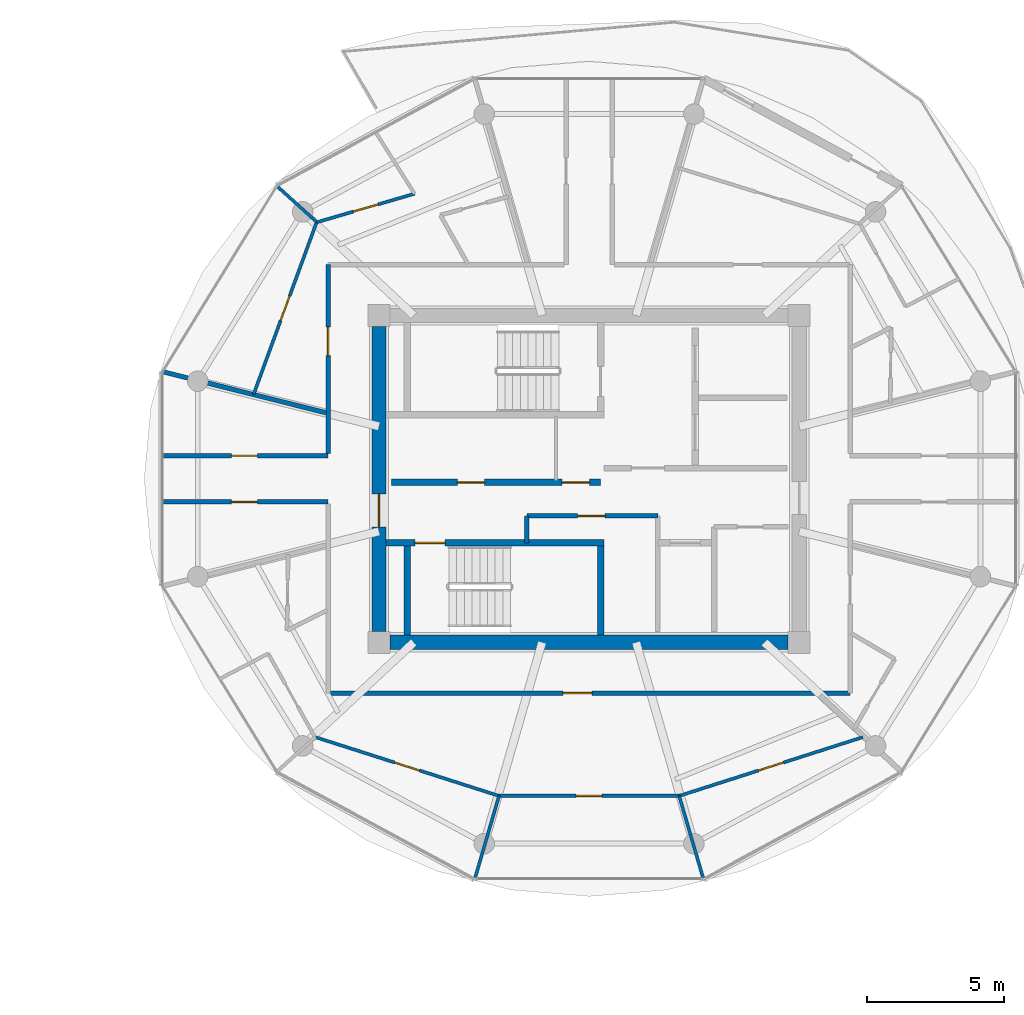
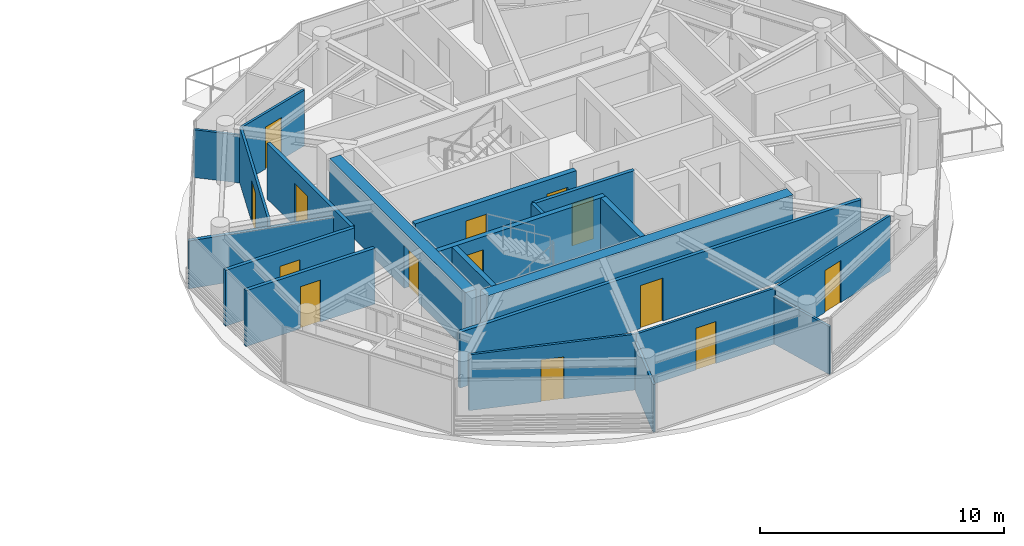
# One storey, part 12 of 19: 21 walls, 14 doors, 14 openings.
"""IFC4 building model written with IfcOpenShell, lengths in metres."""

from ifc_helpers import new_model, si_unit, direction, frame, frame_2d, origin, place, context, subcontext, project, spatial, rectangle, extrude, source, transform, mapped, material, layer, layer_set, type_object, type_shapes, element, fill, save


model = new_model("IFC4")

# Units and contexts
model_context = context("Model", 3, precision=1e-05, world=origin(), true_north=direction((0.0, 1.0)))
body_context = subcontext(model_context, "Body", "Model", "MODEL_VIEW")
ifc_project = project(units=[si_unit("LENGTHUNIT", "METRE"), si_unit("AREAUNIT", "SQUARE_METRE"), si_unit("VOLUMEUNIT", "CUBIC_METRE"), si_unit("PLANEANGLEUNIT", "RADIAN"), si_unit("MASSUNIT", "GRAM", prefix="KILO")], contexts=[model_context])

# Site, building, storey
site_placement = place(None, origin())
site = spatial("IfcSite", under=ifc_project, at=site_placement, CompositionType="ELEMENT")
building_placement = place(site_placement, origin())
building = spatial("IfcBuilding", under=site, at=building_placement, Name="Norrkilde Senior Care Towers", CompositionType="ELEMENT")
storey_placement = place(building_placement, frame((0.0, 0.0, 235.25)))
storey = spatial("IfcBuildingStorey", under=building, at=storey_placement, Name="L73", CompositionType="ELEMENT", Elevation=235.25)

# Wall
ifc_material_1 = material(Name="Concrete C50/60", Category="concrete")
ifc_layer_1 = layer(ifc_material_1, 0.52001953125)
ifc_layer_set_1 = layer_set([ifc_layer_1], Name="Concrete C50/60")
wall_type_1 = type_object("IfcWallType", Name="Core Shear Wall Z4 520", PredefinedType="SHEAR", material=ifc_layer_set_1)
shared_shape_1 = source(origin(), body_context, "Body", "SweptSolid", [
    extrude(rectangle(XDim=14.5, YDim=0.52001953125, at=frame_2d((7.25, 0.0))), origin(), (0.0, 0.0, 1.0), 2.81005859375),
])
wall_1_placement = place(storey_placement, frame((35.25, -5.949951171875, 0.0), z_axis=(0.0, 0.0, 1.0), x_axis=(-1.0, 0.0, 0.0)))
element("IfcWall", 1, at=wall_1_placement, inside=storey, type_object=wall_type_1, Name="L73 Core E South Shear Wall", PredefinedType="SHEAR", context=body_context, shape_type="MappedRepresentation", body=[
    mapped(shared_shape_1, transform((0.0, 0.0, 0.0), x_axis=(1.0, 0.0, 0.0), y_axis=(0.0, 1.0, 0.0), z_axis=(0.0, 0.0, 1.0), scale=1.0)),
])

# Wall, opening, door
shared_shape_2 = source(origin(), body_context, "Body", "SweptSolid", [
    extrude(rectangle(XDim=11.10009765625, YDim=0.52001953125, at=frame_2d((5.550048828125, 0.0))), origin(), (0.0, 0.0, 1.0), 2.81005859375),
])
type_shapes(wall_type_1, [shared_shape_1, shared_shape_2])
wall_2_placement = place(storey_placement, frame((20.35009765625, -5.550048828125, 0.0), z_axis=(0.0, 0.0, 1.0), x_axis=(0.0, 1.0, 0.0)))
wall_2 = element("IfcWall", 2, at=wall_2_placement, inside=storey, type_object=wall_type_1, Name="L73 Core E West Shear Wall", PredefinedType="SHEAR", context=body_context, shape_type="MappedRepresentation", body=[
    mapped(shared_shape_2, transform((0.0, 0.0, 0.0), x_axis=(1.0, 0.0, 0.0), y_axis=(0.0, 1.0, 0.0), z_axis=(0.0, 0.0, 1.0), scale=1.0)),
])
opening_1_placement = place(wall_2_placement, frame((3.800048828125, 0.0, 0.0)))
opening_1 = element("IfcOpeningElement", 3, at=opening_1_placement, cuts=wall_2, Name="Opening D-04", PredefinedType="OPENING", context=body_context, shape_type="SweptSolid", body=[
    extrude(rectangle(XDim=1.199951171875, YDim=2.14990234375, at=frame_2d((0.60009765625, 1.074951171875))), frame((0.0, 0.27001953125, 0.0), z_axis=(0.0, -1.0, 0.0), x_axis=(1.0, 0.0, 0.0)), (0.0, 0.0, 1.0), 0.5400390625),
])
ifc_material_2 = material(Name="Galvanised Painted Steel", Category="steel")
door_type_1 = type_object("IfcDoorType", Name="Firefighting Lobby Fire Door 1200x2150", OperationType="NOTDEFINED", PredefinedType="DOOR", material=ifc_material_2)
shared_shape_3 = source(origin(), body_context, "Body", "SweptSolid", [
    extrude(rectangle(XDim=1.199951171875, YDim=2.14990234375, at=frame_2d((0.60009765625, 1.074951171875))), frame((0.0, 0.02490234375, 0.0), z_axis=(0.0, -1.0, 0.0), x_axis=(1.0, 0.0, 0.0)), (0.0, 0.0, 1.0), 0.050048828125),
])
type_shapes(door_type_1, [shared_shape_3])
door_1_placement = place(opening_1_placement, frame((1.199951171875, 0.0, 0.0), z_axis=(0.0, 0.0, 1.0), x_axis=(-1.0, 0.0, 0.0)))
door_1 = element("IfcDoor", 4, at=door_1_placement, inside=storey, type_object=door_type_1, Name="L73 Core E West Portal Door", OperationType="SINGLE_SWING_LEFT", OverallHeight=2.14990234375, OverallWidth=1.199951171875, PredefinedType="DOOR", context=body_context, shape_type="MappedRepresentation", body=[
    mapped(shared_shape_3, transform((0.0, 0.0, 0.0), x_axis=(1.0, 0.0, 0.0), y_axis=(0.0, 1.0, 0.0), z_axis=(0.0, 0.0, 1.0), scale=1.0)),
])
fill(opening_1, door_1)

# Wall, openings, doors
ifc_material_3 = material(Name="Concrete C45/55", Category="concrete")
ifc_layer_2 = layer(ifc_material_3, 0.239990234375)
ifc_layer_set_2 = layer_set([ifc_layer_2], Name="Concrete C45/55")
wall_type_2 = type_object("IfcWallType", Name="Lift and Plant Rated Enclosure Partition 240", PredefinedType="PARTITIONING", material=ifc_layer_set_2)
shared_shape_4 = source(origin(), body_context, "Body", "SweptSolid", [
    extrude(rectangle(XDim=7.619873046875, YDim=0.239990234375, at=frame_2d((3.81005859375, 0.0))), origin(), (0.0, 0.0, 1.0), 2.794921875),
])
type_shapes(wall_type_2, [shared_shape_4])
wall_3_placement = place(storey_placement, frame((20.800048828125, -0.1298828125, 0.0), z_axis=(0.0, 0.0, 1.0), x_axis=(1.0, 0.0, 0.0)))
wall_3 = element("IfcWall", 5, at=wall_3_placement, inside=storey, type_object=wall_type_2, Name="WL-INT-L73-E-PKAS", PredefinedType="PARTITIONING", context=body_context, shape_type="MappedRepresentation", body=[
    mapped(shared_shape_4, transform((0.0, 0.0, 0.0), x_axis=(1.0, 0.0, 0.0), y_axis=(0.0, 1.0, 0.0), z_axis=(0.0, 0.0, 1.0), scale=1.0)),
])
opening_2_placement = place(wall_3_placement, frame((6.219970703125, 0.0, 0.0)))
opening_2 = element("IfcOpeningElement", 6, at=opening_2_placement, cuts=wall_3, Name="Opening D-10", PredefinedType="OPENING", context=body_context, shape_type="SweptSolid", body=[
    extrude(rectangle(XDim=1.0, YDim=2.10009765625, at=frame_2d((0.5, 1.050048828125))), frame((0.0, 0.1298828125, 0.0), z_axis=(0.0, -1.0, 0.0), x_axis=(1.0, 0.0, 0.0)), (0.0, 0.0, 1.0), 0.260009765625),
])
opening_3_placement = place(wall_3_placement, frame((2.39990234375, 0.0, 0.0)))
opening_3 = element("IfcOpeningElement", 7, at=opening_3_placement, cuts=wall_3, Name="Opening D-10", PredefinedType="OPENING", context=body_context, shape_type="SweptSolid", body=[
    extrude(rectangle(XDim=1.0, YDim=2.10009765625, at=frame_2d((0.5, 1.050048828125))), frame((0.0, 0.1298828125, 0.0), z_axis=(0.0, -1.0, 0.0), x_axis=(1.0, 0.0, 0.0)), (0.0, 0.0, 1.0), 0.260009765625),
])
door_type_2 = type_object("IfcDoorType", Name="Plant and Riser Rated Door 1000x2100", OperationType="NOTDEFINED", PredefinedType="DOOR", material=ifc_material_2)
shared_shape_5 = source(origin(), body_context, "Body", "SweptSolid", [
    extrude(rectangle(XDim=1.0, YDim=2.10009765625, at=frame_2d((0.5, 1.050048828125))), frame((0.0, 0.02490234375, 0.0), z_axis=(0.0, -1.0, 0.0), x_axis=(1.0, 0.0, 0.0)), (0.0, 0.0, 1.0), 0.050048828125),
])
type_shapes(door_type_2, [shared_shape_5])
door_2_placement = place(opening_2_placement, frame((1.0, 0.0, 0.0), z_axis=(0.0, 0.0, 1.0), x_axis=(-1.0, 0.0, 0.0)))
door_2 = element("IfcDoor", 8, at=door_2_placement, inside=storey, type_object=door_type_2, Name="L73 Electrical Riser E Door", OperationType="SINGLE_SWING_LEFT", OverallHeight=2.10009765625, OverallWidth=1.0, PredefinedType="DOOR", context=body_context, shape_type="MappedRepresentation", body=[
    mapped(shared_shape_5, transform((0.0, 0.0, 0.0), x_axis=(1.0, 0.0, 0.0), y_axis=(0.0, 1.0, 0.0), z_axis=(0.0, 0.0, 1.0), scale=1.0)),
])
fill(opening_2, door_2)
door_3_placement = place(opening_3_placement, frame((1.0, 0.0, 0.0), z_axis=(0.0, 0.0, 1.0), x_axis=(-1.0, 0.0, 0.0)))
door_3 = element("IfcDoor", 9, at=door_3_placement, inside=storey, type_object=door_type_2, Name="L73 Clean Supply Store E Door", OperationType="SINGLE_SWING_LEFT", OverallHeight=2.10009765625, OverallWidth=1.0, PredefinedType="DOOR", context=body_context, shape_type="MappedRepresentation", body=[
    mapped(shared_shape_5, transform((0.0, 0.0, 0.0), x_axis=(1.0, 0.0, 0.0), y_axis=(0.0, 1.0, 0.0), z_axis=(0.0, 0.0, 1.0), scale=1.0)),
])
fill(opening_3, door_3)

# Wall, opening, door
ifc_material_4 = material(Name="Gypsum Acoustic Board")
ifc_layer_3 = layer(ifc_material_4, 0.1650390625)
ifc_layer_set_3 = layer_set([ifc_layer_3], Name="Gypsum Acoustic Board")
wall_type_3 = type_object("IfcWallType", Name="Corridor Rated Partition 165", PredefinedType="PARTITIONING", material=ifc_layer_set_3)
shared_shape_6 = source(origin(), body_context, "Body", "SweptSolid", [
    extrude(rectangle(XDim=4.77001953125, YDim=0.1650390625, at=frame_2d((2.385009765625, 0.0))), origin(), (0.0, 0.0, 1.0), 2.794921875),
])
wall_4_placement = place(storey_placement, frame((25.72998046875, -1.35009765625, 0.0), z_axis=(0.0, 0.0, 1.0), x_axis=(1.0, 0.0, 0.0)))
wall_4 = element("IfcWall", 10, at=wall_4_placement, inside=storey, type_object=wall_type_3, Name="WL-INT-L73-E-FR2N", PredefinedType="PARTITIONING", context=body_context, shape_type="MappedRepresentation", body=[
    mapped(shared_shape_6, transform((0.0, 0.0, 0.0), x_axis=(1.0, 0.0, 0.0), y_axis=(0.0, 1.0, 0.0), z_axis=(0.0, 0.0, 1.0), scale=1.0)),
])
opening_4_placement = place(wall_4_placement, frame((1.85009765625, 0.0, 0.0)))
opening_4 = element("IfcOpeningElement", 11, at=opening_4_placement, cuts=wall_4, Name="Opening D-10", PredefinedType="OPENING", context=body_context, shape_type="SweptSolid", body=[
    extrude(rectangle(XDim=1.0, YDim=2.10009765625, at=frame_2d((0.5, 1.050048828125))), frame((0.0, 0.092529296875, 0.0), z_axis=(0.0, -1.0, 0.0), x_axis=(1.0, 0.0, 0.0)), (0.0, 0.0, 1.0), 0.18505859375),
])
door_4_placement = place(opening_4_placement, origin())
door_4 = element("IfcDoor", 12, at=door_4_placement, inside=storey, type_object=door_type_2, Name="L73 Core Pantry E Door", OperationType="SINGLE_SWING_RIGHT", OverallHeight=2.10009765625, OverallWidth=1.0, PredefinedType="DOOR", context=body_context, shape_type="MappedRepresentation", body=[
    mapped(shared_shape_5, transform((0.0, 0.0, 0.0), x_axis=(1.0, 0.0, 0.0), y_axis=(0.0, 1.0, 0.0), z_axis=(0.0, 0.0, 1.0), scale=1.0)),
])
fill(opening_4, door_4)

# Wall
shared_shape_7 = source(origin(), body_context, "Body", "SweptSolid", [
    extrude(rectangle(XDim=0.97998046875, YDim=0.1650390625, at=frame_2d((0.489990234375, 0.0))), origin(), (0.0, 0.0, 1.0), 2.794921875),
])
wall_5_placement = place(storey_placement, frame((25.72998046875, -2.330078125, 0.0), z_axis=(0.0, 0.0, 1.0), x_axis=(0.0, 1.0, 0.0)))
element("IfcWall", 13, at=wall_5_placement, inside=storey, type_object=wall_type_3, Name="WL-INT-L73-E-FR2W", PredefinedType="PARTITIONING", context=body_context, shape_type="MappedRepresentation", body=[
    mapped(shared_shape_7, transform((0.0, 0.0, 0.0), x_axis=(1.0, 0.0, 0.0), y_axis=(0.0, 1.0, 0.0), z_axis=(0.0, 0.0, 1.0), scale=1.0)),
])

# Wall, opening, door
shared_shape_8 = source(origin(), body_context, "Body", "SweptSolid", [
    extrude(rectangle(XDim=19.0, YDim=0.1650390625, at=frame_2d((9.5, 0.0))), origin(), (0.0, 0.0, 1.0), 2.794921875),
])
wall_6_placement = place(storey_placement, frame((37.5, -7.800048828125, 0.0), z_axis=(0.0, 0.0, 1.0), x_axis=(-1.0, 0.0, 0.0)))
wall_6 = element("IfcWall", 14, at=wall_6_placement, inside=storey, type_object=wall_type_3, Name="WL-INT-L73-E-CRW-S-0", PredefinedType="PARTITIONING", context=body_context, shape_type="MappedRepresentation", body=[
    mapped(shared_shape_8, transform((0.0, 0.0, 0.0), x_axis=(1.0, 0.0, 0.0), y_axis=(0.0, 1.0, 0.0), z_axis=(0.0, 0.0, 1.0), scale=1.0)),
])
opening_5_placement = place(wall_6_placement, frame((9.39208984375, 0.0, 0.0)))
opening_5 = element("IfcOpeningElement", 15, at=opening_5_placement, cuts=wall_6, Name="Opening D-06", PredefinedType="OPENING", context=body_context, shape_type="SweptSolid", body=[
    extrude(rectangle(XDim=1.050048828125, YDim=2.14990234375, at=frame_2d((0.52490234375, 1.074951171875))), frame((0.0, 0.092529296875, 0.0), z_axis=(0.0, -1.0, 0.0), x_axis=(1.0, 0.0, 0.0)), (0.0, 0.0, 1.0), 0.18505859375),
])
ifc_material_5 = material(Name="Nordic Ash Timber", Category="wood")
door_type_3 = type_object("IfcDoorType", Name="Apartment Entrance Fire Door 1050x2150", OperationType="NOTDEFINED", PredefinedType="DOOR", material=ifc_material_5)
shared_shape_9 = source(origin(), body_context, "Body", "SweptSolid", [
    extrude(rectangle(XDim=1.050048828125, YDim=2.14990234375, at=frame_2d((0.52490234375, 1.074951171875))), frame((0.0, 0.02490234375, 0.0), z_axis=(0.0, -1.0, 0.0), x_axis=(1.0, 0.0, 0.0)), (0.0, 0.0, 1.0), 0.050048828125),
])
type_shapes(door_type_3, [shared_shape_9])
door_5_placement = place(opening_5_placement, frame((1.050048828125, 0.0, 0.0), z_axis=(0.0, 0.0, 1.0), x_axis=(-1.0, 0.0, 0.0)))
door_5 = element("IfcDoor", 16, at=door_5_placement, inside=storey, type_object=door_type_3, Name="Apartment 73C Entrance Door", OperationType="SINGLE_SWING_LEFT", OverallHeight=2.14990234375, OverallWidth=1.050048828125, PredefinedType="DOOR", context=body_context, shape_type="MappedRepresentation", body=[
    mapped(shared_shape_9, transform((0.0, 0.0, 0.0), x_axis=(1.0, 0.0, 0.0), y_axis=(0.0, 1.0, 0.0), z_axis=(0.0, 0.0, 1.0), scale=1.0)),
])
fill(opening_5, door_5)

shared_shape_10 = source(origin(), body_context, "Body", "SweptSolid", [
    extrude(rectangle(XDim=6.880126953125, YDim=0.1650390625, at=frame_2d((3.43994140625, 0.0))), origin(), (0.0, 0.0, 1.0), 2.794921875),
])
wall_7_placement = place(storey_placement, frame((18.5, 0.919921875, 0.0), z_axis=(0.0, 0.0, 1.0), x_axis=(0.0, 1.0, 0.0)))
wall_7 = element("IfcWall", 17, at=wall_7_placement, inside=storey, type_object=wall_type_3, Name="WL-INT-L73-E-CRW-W-1", PredefinedType="PARTITIONING", context=body_context, shape_type="MappedRepresentation", body=[
    mapped(shared_shape_10, transform((0.0, 0.0, 0.0), x_axis=(1.0, 0.0, 0.0), y_axis=(0.0, 1.0, 0.0), z_axis=(0.0, 0.0, 1.0), scale=1.0)),
])
opening_6_placement = place(wall_7_placement, frame((3.564208984375, 0.0, 0.0)))
opening_6 = element("IfcOpeningElement", 18, at=opening_6_placement, cuts=wall_7, Name="Opening D-06", PredefinedType="OPENING", context=body_context, shape_type="SweptSolid", body=[
    extrude(rectangle(XDim=1.050048828125, YDim=2.14990234375, at=frame_2d((0.52490234375, 1.074951171875))), frame((0.0, 0.092529296875, 0.0), z_axis=(0.0, -1.0, 0.0), x_axis=(1.0, 0.0, 0.0)), (0.0, 0.0, 1.0), 0.18505859375),
])
door_6_placement = place(opening_6_placement, frame((1.050048828125, 0.0, 0.0), z_axis=(0.0, 0.0, 1.0), x_axis=(-1.0, 0.0, 0.0)))
door_6 = element("IfcDoor", 19, at=door_6_placement, inside=storey, type_object=door_type_3, Name="Apartment 73B Entrance Door", OperationType="SINGLE_SWING_RIGHT", OverallHeight=2.14990234375, OverallWidth=1.050048828125, PredefinedType="DOOR", context=body_context, shape_type="MappedRepresentation", body=[
    mapped(shared_shape_9, transform((0.0, 0.0, 0.0), x_axis=(1.0, 0.0, 0.0), y_axis=(0.0, 1.0, 0.0), z_axis=(0.0, 0.0, 1.0), scale=1.0)),
])
fill(opening_6, door_6)

ifc_layer_4 = layer(ifc_material_3, 0.239990234375)
ifc_layer_set_4 = layer_set([ifc_layer_4], Name="Concrete C45/55")
wall_type_4 = type_object("IfcWallType", Name="Shaft and Stair Enclosure Wall 240", PredefinedType="PARTITIONING", material=ifc_layer_set_4)
shared_shape_11 = source(origin(), body_context, "Body", "SweptSolid", [
    extrude(rectangle(XDim=7.929931640625, YDim=0.239990234375, at=frame_2d((3.96484375, 0.0))), origin(), (0.0, 0.0, 1.0), 2.81005859375),
])
wall_8_placement = place(storey_placement, frame((20.610107421875, -2.330078125, 0.0), z_axis=(0.0, 0.0, 1.0), x_axis=(1.0, 0.0, 0.0)))
wall_8 = element("IfcWall", 20, at=wall_8_placement, inside=storey, type_object=wall_type_4, Name="WL-INT-L73-E-ST2N", PredefinedType="PARTITIONING", context=body_context, shape_type="MappedRepresentation", body=[
    mapped(shared_shape_11, transform((0.0, 0.0, 0.0), x_axis=(1.0, 0.0, 0.0), y_axis=(0.0, 1.0, 0.0), z_axis=(0.0, 0.0, 1.0), scale=1.0)),
])
opening_7_placement = place(wall_8_placement, frame((1.050048828125, 0.0, 0.0)))
opening_7 = element("IfcOpeningElement", 21, at=opening_7_placement, cuts=wall_8, Name="Opening D-03", PredefinedType="OPENING", context=body_context, shape_type="SweptSolid", body=[
    extrude(rectangle(XDim=1.10009765625, YDim=2.14990234375, at=frame_2d((0.550048828125, 1.074951171875))), frame((0.0, 0.1298828125, 0.0), z_axis=(0.0, -1.0, 0.0), x_axis=(1.0, 0.0, 0.0)), (0.0, 0.0, 1.0), 0.260009765625),
])
door_type_4 = type_object("IfcDoorType", Name="Stairwell Protected Fire Door 1100x2150", OperationType="NOTDEFINED", PredefinedType="DOOR", material=ifc_material_2)
shared_shape_12 = source(origin(), body_context, "Body", "SweptSolid", [
    extrude(rectangle(XDim=1.10009765625, YDim=2.14990234375, at=frame_2d((0.550048828125, 1.074951171875))), frame((0.0, 0.02490234375, 0.0), z_axis=(0.0, -1.0, 0.0), x_axis=(1.0, 0.0, 0.0)), (0.0, 0.0, 1.0), 0.050048828125),
])
type_shapes(door_type_4, [shared_shape_12])
door_7_placement = place(opening_7_placement, frame((1.10009765625, 0.0, 0.0), z_axis=(0.0, 0.0, 1.0), x_axis=(-1.0, 0.0, 0.0)))
door_7 = element("IfcDoor", 22, at=door_7_placement, inside=storey, type_object=door_type_4, Name="L73 Stair E2 Fire Door", OperationType="SINGLE_SWING_RIGHT", OverallHeight=2.14990234375, OverallWidth=1.10009765625, PredefinedType="DOOR", context=body_context, shape_type="MappedRepresentation", body=[
    mapped(shared_shape_12, transform((0.0, 0.0, 0.0), x_axis=(1.0, 0.0, 0.0), y_axis=(0.0, 1.0, 0.0), z_axis=(0.0, 0.0, 1.0), scale=1.0)),
])
fill(opening_7, door_7)

# Walls
shared_shape_13 = source(origin(), body_context, "Body", "SweptSolid", [
    extrude(rectangle(XDim=3.239990234375, YDim=0.239990234375, at=frame_2d((1.6201171875, 0.0))), origin(), (0.0, 0.0, 1.0), 2.81005859375),
])
type_shapes(wall_type_4, [shared_shape_11, shared_shape_13])
for number, where, z_axis, x_axis, name in (
    (23, (21.3798828125, -5.68994140625, 0.0), (0.0, 0.0, 1.0), (0.0, 1.0, 0.0), "WL-INT-L73-E-ST2W"),
    (24, (28.419921875, -5.68994140625, 0.0), (0.0, 0.0, 1.0), (0.0, 1.0, 0.0), "WL-INT-L73-E-ST2E"),
):
    element("IfcWall", number, at=place(storey_placement, frame(where, z_axis=z_axis, x_axis=x_axis)), inside=storey, type_object=wall_type_4, Name=name, PredefinedType="PARTITIONING", context=body_context, shape_type="MappedRepresentation", body=[
        mapped(shared_shape_13, transform((0.0, 0.0, 0.0), x_axis=(1.0, 0.0, 0.0), y_axis=(0.0, 1.0, 0.0), z_axis=(0.0, 0.0, 1.0), scale=1.0)),
    ])
shared_shape_14 = source(origin(), body_context, "Body", "SweptSolid", [
    extrude(rectangle(XDim=6.1572265625, YDim=0.1650390625, at=frame_2d((3.07861328125, 0.0))), origin(), (0.0, 0.0, 1.0), 2.39501953125),
])
wall_9_placement = place(storey_placement, frame((18.419921875, 2.407470703125, 0.0), z_axis=(0.0, 0.0, 1.0), x_axis=(-0.969840867184, 0.243738984038, 0.0)))
element("IfcWall", 25, at=wall_9_placement, inside=storey, type_object=wall_type_3, Name="WL-INT-L73-E-DEM-05-0", PredefinedType="PARTITIONING", context=body_context, shape_type="MappedRepresentation", body=[
    mapped(shared_shape_14, transform((0.0, 0.0, 0.0), x_axis=(1.0, 0.0, 0.0), y_axis=(0.0, 1.0, 0.0), z_axis=(0.0, 0.0, 1.0), scale=1.0)),
])
ifc_layer_5 = layer(ifc_material_4, 0.114990234375)
ifc_layer_set_5 = layer_set([ifc_layer_5], Name="Gypsum Acoustic Board")
wall_type_5 = type_object("IfcWallType", Name="Internal Room Partition 115", PredefinedType="PARTITIONING", material=ifc_layer_set_5)
shared_shape_15 = source(origin(), body_context, "Body", "SweptSolid", [
    extrude(rectangle(XDim=1.977294921875, YDim=0.114990234375, at=frame_2d((0.98876953125, 0.0))), origin(), (0.0, 0.0, 1.0), 2.39501953125),
])
wall_10_placement = place(storey_placement, frame((18.082763671875, 9.351806640625, 0.0), z_axis=(0.0, 0.0, 1.0), x_axis=(-0.742064998629, 0.670327933037, 0.0)))
element("IfcWall", 26, at=wall_10_placement, inside=storey, type_object=wall_type_5, Name="WL-INT-L73-E-UBR-03-1", PredefinedType="PARTITIONING", context=body_context, shape_type="MappedRepresentation", body=[
    mapped(shared_shape_15, transform((0.0, 0.0, 0.0), x_axis=(1.0, 0.0, 0.0), y_axis=(0.0, 1.0, 0.0), z_axis=(0.0, 0.0, 1.0), scale=1.0)),
])
shared_shape_16 = source(origin(), body_context, "Body", "SweptSolid", [
    extrude(rectangle(XDim=3.17333984375, YDim=0.114990234375, at=frame_2d((1.586669921875, 0.0))), origin(), (0.0, 0.0, 1.0), 2.39501953125),
])
wall_11_placement = place(storey_placement, frame((24.72119140625, -11.538818359375, 0.0), z_axis=(0.0, 0.0, 1.0), x_axis=(-0.279878875918, -0.960035319566, 0.0)))
element("IfcWall", 27, at=wall_11_placement, inside=storey, type_object=wall_type_5, Name="WL-INT-L73-E-UBR-06-2", PredefinedType="PARTITIONING", context=body_context, shape_type="MappedRepresentation", body=[
    mapped(shared_shape_16, transform((0.0, 0.0, 0.0), x_axis=(1.0, 0.0, 0.0), y_axis=(0.0, 1.0, 0.0), z_axis=(0.0, 0.0, 1.0), scale=1.0)),
])
shared_shape_17 = source(origin(), body_context, "Body", "SweptSolid", [
    extrude(rectangle(XDim=3.170654296875, YDim=0.114990234375, at=frame_2d((1.58544921875, 0.0))), origin(), (0.0, 0.0, 1.0), 2.39501953125),
])
wall_12_placement = place(storey_placement, frame((31.279541015625, -11.54150390625, 0.0), z_axis=(0.0, 0.0, 1.0), x_axis=(0.279893554029, -0.960031040338, 0.0)))
element("IfcWall", 28, at=wall_12_placement, inside=storey, type_object=wall_type_5, Name="WL-INT-L73-E-UBR-06-3", PredefinedType="PARTITIONING", context=body_context, shape_type="MappedRepresentation", body=[
    mapped(shared_shape_17, transform((0.0, 0.0, 0.0), x_axis=(1.0, 0.0, 0.0), y_axis=(0.0, 1.0, 0.0), z_axis=(0.0, 0.0, 1.0), scale=1.0)),
])

# Wall, opening, door
shared_shape_18 = source(origin(), body_context, "Body", "SweptSolid", [
    extrude(rectangle(XDim=6.101318359375, YDim=0.1650390625, at=frame_2d((3.05078125, 0.0))), origin(), (0.0, 0.0, 1.0), 2.794921875),
])
type_shapes(wall_type_3, [shared_shape_6, shared_shape_7, shared_shape_8, shared_shape_10, shared_shape_14, shared_shape_18])
wall_13_placement = place(storey_placement, frame((12.398681640625, 0.840087890625, 0.0), z_axis=(0.0, 0.0, 1.0), x_axis=(1.0, 0.0, 0.0)))
wall_13 = element("IfcWall", 29, at=wall_13_placement, inside=storey, type_object=wall_type_3, Name="WL-INT-L73-E-SPK-W1-0", PredefinedType="PARTITIONING", context=body_context, shape_type="MappedRepresentation", body=[
    mapped(shared_shape_18, transform((0.0, 0.0, 0.0), x_axis=(1.0, 0.0, 0.0), y_axis=(0.0, 1.0, 0.0), z_axis=(0.0, 0.0, 1.0), scale=1.0)),
])
opening_8_placement = place(wall_13_placement, frame((2.57568359375, 0.0, 0.0)))
opening_8 = element("IfcOpeningElement", 30, at=opening_8_placement, cuts=wall_13, Name="Opening D-07", PredefinedType="OPENING", context=body_context, shape_type="SweptSolid", body=[
    extrude(rectangle(XDim=0.949951171875, YDim=2.10009765625, at=frame_2d((0.47509765625, 1.050048828125))), frame((0.0, 0.092529296875, 0.0), z_axis=(0.0, -1.0, 0.0), x_axis=(1.0, 0.0, 0.0)), (0.0, 0.0, 1.0), 0.18505859375),
])
door_type_5 = type_object("IfcDoorType", Name="Internal Suite Bedroom Door 950x2100", OperationType="NOTDEFINED", PredefinedType="DOOR", material=ifc_material_5)
shared_shape_19 = source(origin(), body_context, "Body", "SweptSolid", [
    extrude(rectangle(XDim=0.949951171875, YDim=2.10009765625, at=frame_2d((0.47509765625, 1.050048828125))), frame((0.0, 0.02490234375, 0.0), z_axis=(0.0, -1.0, 0.0), x_axis=(1.0, 0.0, 0.0)), (0.0, 0.0, 1.0), 0.050048828125),
])
type_shapes(door_type_5, [shared_shape_19])
door_8_placement = place(opening_8_placement, frame((0.949951171875, 0.0, 0.0), z_axis=(0.0, 0.0, 1.0), x_axis=(-1.0, 0.0, 0.0)))
door_8 = element("IfcDoor", 31, at=door_8_placement, inside=storey, type_object=door_type_5, Name="L73 Sun Reading Lounge 2 Door", OperationType="SINGLE_SWING_LEFT", OverallHeight=2.10009765625, OverallWidth=0.949951171875, PredefinedType="DOOR", context=body_context, shape_type="MappedRepresentation", body=[
    mapped(shared_shape_19, transform((0.0, 0.0, 0.0), x_axis=(1.0, 0.0, 0.0), y_axis=(0.0, 1.0, 0.0), z_axis=(0.0, 0.0, 1.0), scale=1.0)),
])
fill(opening_8, door_8)

wall_14_placement = place(storey_placement, frame((18.5, -0.840087890625, 0.0), z_axis=(0.0, 0.0, 1.0), x_axis=(-1.0, 0.0, 0.0)))
wall_14 = element("IfcWall", 32, at=wall_14_placement, inside=storey, type_object=wall_type_3, Name="WL-INT-L73-E-SPK-W2-0", PredefinedType="PARTITIONING", context=body_context, shape_type="MappedRepresentation", body=[
    mapped(shared_shape_18, transform((0.0, 0.0, 0.0), x_axis=(1.0, 0.0, 0.0), y_axis=(0.0, 1.0, 0.0), z_axis=(0.0, 0.0, 1.0), scale=1.0)),
])
opening_9_placement = place(wall_14_placement, frame((2.57568359375, 0.0, 0.0)))
opening_9 = element("IfcOpeningElement", 33, at=opening_9_placement, cuts=wall_14, Name="Opening D-07", PredefinedType="OPENING", context=body_context, shape_type="SweptSolid", body=[
    extrude(rectangle(XDim=0.949951171875, YDim=2.10009765625, at=frame_2d((0.47509765625, 1.050048828125))), frame((0.0, 0.092529296875, 0.0), z_axis=(0.0, -1.0, 0.0), x_axis=(1.0, 0.0, 0.0)), (0.0, 0.0, 1.0), 0.18505859375),
])
door_9_placement = place(opening_9_placement, frame((0.949951171875, 0.0, 0.0), z_axis=(0.0, 0.0, 1.0), x_axis=(-1.0, 0.0, 0.0)))
door_9 = element("IfcDoor", 34, at=door_9_placement, inside=storey, type_object=door_type_5, Name="L73 Sun Reading Lounge 1 Door", OperationType="SINGLE_SWING_RIGHT", OverallHeight=2.10009765625, OverallWidth=0.949951171875, PredefinedType="DOOR", context=body_context, shape_type="MappedRepresentation", body=[
    mapped(shared_shape_19, transform((0.0, 0.0, 0.0), x_axis=(1.0, 0.0, 0.0), y_axis=(0.0, 1.0, 0.0), z_axis=(0.0, 0.0, 1.0), scale=1.0)),
])
fill(opening_9, door_9)

shared_shape_20 = source(origin(), body_context, "Body", "SweptSolid", [
    extrude(rectangle(XDim=6.68994140625, YDim=0.114990234375, at=frame_2d((3.344970703125, 0.0))), origin(), (0.0, 0.0, 1.0), 2.794921875),
])
wall_15_placement = place(storey_placement, frame((18.082763671875, 9.351806640625, 0.0), z_axis=(0.0, 0.0, 1.0), x_axis=(-0.343693784919, -0.939081776102, 0.0)))
wall_15 = element("IfcWall", 35, at=wall_15_placement, inside=storey, type_object=wall_type_5, Name="WL-INT-L73-E-UBC-03-1", PredefinedType="PARTITIONING", context=body_context, shape_type="MappedRepresentation", body=[
    mapped(shared_shape_20, transform((0.0, 0.0, 0.0), x_axis=(1.0, 0.0, 0.0), y_axis=(0.0, 1.0, 0.0), z_axis=(0.0, 0.0, 1.0), scale=1.0)),
])
opening_10_placement = place(wall_15_placement, frame((2.8701171875, 0.0, 0.0)))
opening_10 = element("IfcOpeningElement", 36, at=opening_10_placement, cuts=wall_15, Name="Opening D-07", PredefinedType="OPENING", context=body_context, shape_type="SweptSolid", body=[
    extrude(rectangle(XDim=0.949951171875, YDim=2.10009765625, at=frame_2d((0.47509765625, 1.050048828125))), frame((0.0, 0.0673828125, 0.0), z_axis=(0.0, -1.0, 0.0), x_axis=(1.0, 0.0, 0.0)), (0.0, 0.0, 1.0), 0.135009765625),
])
door_10_placement = place(opening_10_placement, origin())
door_10 = element("IfcDoor", 37, at=door_10_placement, inside=storey, type_object=door_type_5, Name="Apartment 73B Bedroom 1 Door", OperationType="SINGLE_SWING_LEFT", OverallHeight=2.10009765625, OverallWidth=0.949951171875, PredefinedType="DOOR", context=body_context, shape_type="MappedRepresentation", body=[
    mapped(shared_shape_19, transform((0.0, 0.0, 0.0), x_axis=(1.0, 0.0, 0.0), y_axis=(0.0, 1.0, 0.0), z_axis=(0.0, 0.0, 1.0), scale=1.0)),
])
fill(opening_10, door_10)

shared_shape_21 = source(origin(), body_context, "Body", "SweptSolid", [
    extrude(rectangle(XDim=3.70166015625, YDim=0.114990234375, at=frame_2d((1.850830078125, 0.0))), origin(), (0.0, 0.0, 1.0), 2.794921875),
])
wall_16_placement = place(storey_placement, frame((21.64453125, 10.380126953125, 0.0), z_axis=(0.0, 0.0, 1.0), x_axis=(-0.960044309887, -0.279848035645, 0.0)))
wall_16 = element("IfcWall", 38, at=wall_16_placement, inside=storey, type_object=wall_type_5, Name="WL-INT-L73-E-UKTF-03", PredefinedType="PARTITIONING", context=body_context, shape_type="MappedRepresentation", body=[
    mapped(shared_shape_21, transform((0.0, 0.0, 0.0), x_axis=(1.0, 0.0, 0.0), y_axis=(0.0, 1.0, 0.0), z_axis=(0.0, 0.0, 1.0), scale=1.0)),
])
opening_11_placement = place(wall_16_placement, frame((1.3759765625, 0.0, 0.0)))
opening_11 = element("IfcOpeningElement", 39, at=opening_11_placement, cuts=wall_16, Name="Opening D-07", PredefinedType="OPENING", context=body_context, shape_type="SweptSolid", body=[
    extrude(rectangle(XDim=0.949951171875, YDim=2.10009765625, at=frame_2d((0.47509765625, 1.050048828125))), frame((0.0, 0.0673828125, 0.0), z_axis=(0.0, -1.0, 0.0), x_axis=(1.0, 0.0, 0.0)), (0.0, 0.0, 1.0), 0.135009765625),
])
door_11_placement = place(opening_11_placement, frame((0.949951171875, 0.0, 0.0), z_axis=(0.0, 0.0, 1.0), x_axis=(-1.0, 0.0, 0.0)))
door_11 = element("IfcDoor", 40, at=door_11_placement, inside=storey, type_object=door_type_5, Name="Apartment 73B Kitchen Door", OperationType="SINGLE_SWING_RIGHT", OverallHeight=2.10009765625, OverallWidth=0.949951171875, PredefinedType="DOOR", context=body_context, shape_type="MappedRepresentation", body=[
    mapped(shared_shape_19, transform((0.0, 0.0, 0.0), x_axis=(1.0, 0.0, 0.0), y_axis=(0.0, 1.0, 0.0), z_axis=(0.0, 0.0, 1.0), scale=1.0)),
])
fill(opening_11, door_11)

shared_shape_22 = source(origin(), body_context, "Body", "SweptSolid", [
    extrude(rectangle(XDim=7.024169921875, YDim=0.114990234375, at=frame_2d((3.51220703125, 0.0))), origin(), (0.0, 0.0, 1.0), 2.794921875),
])
wall_17_placement = place(storey_placement, frame((18.0302734375, -9.4013671875, 0.0), z_axis=(0.0, 0.0, 1.0), x_axis=(0.952454006655, -0.304682400552, 0.0)))
wall_17 = element("IfcWall", 41, at=wall_17_placement, inside=storey, type_object=wall_type_5, Name="WL-INT-L73-E-UBC-06-1", PredefinedType="PARTITIONING", context=body_context, shape_type="MappedRepresentation", body=[
    mapped(shared_shape_22, transform((0.0, 0.0, 0.0), x_axis=(1.0, 0.0, 0.0), y_axis=(0.0, 1.0, 0.0), z_axis=(0.0, 0.0, 1.0), scale=1.0)),
])
opening_12_placement = place(wall_17_placement, frame((3.037109375, 0.0, 0.0)))
opening_12 = element("IfcOpeningElement", 42, at=opening_12_placement, cuts=wall_17, Name="Opening D-07", PredefinedType="OPENING", context=body_context, shape_type="SweptSolid", body=[
    extrude(rectangle(XDim=0.949951171875, YDim=2.10009765625, at=frame_2d((0.47509765625, 1.050048828125))), frame((0.0, 0.0673828125, 0.0), z_axis=(0.0, -1.0, 0.0), x_axis=(1.0, 0.0, 0.0)), (0.0, 0.0, 1.0), 0.135009765625),
])
door_12_placement = place(opening_12_placement, origin())
door_12 = element("IfcDoor", 43, at=door_12_placement, inside=storey, type_object=door_type_5, Name="Apartment 73C Bedroom 1 Door", OperationType="SINGLE_SWING_RIGHT", OverallHeight=2.10009765625, OverallWidth=0.949951171875, PredefinedType="DOOR", context=body_context, shape_type="MappedRepresentation", body=[
    mapped(shared_shape_19, transform((0.0, 0.0, 0.0), x_axis=(1.0, 0.0, 0.0), y_axis=(0.0, 1.0, 0.0), z_axis=(0.0, 0.0, 1.0), scale=1.0)),
])
fill(opening_12, door_12)

wall_18_placement = place(storey_placement, frame((31.279541015625, -11.54150390625, 0.0), z_axis=(0.0, 0.0, 1.0), x_axis=(0.952454006655, 0.304682400552, 0.0)))
wall_18 = element("IfcWall", 44, at=wall_18_placement, inside=storey, type_object=wall_type_5, Name="WL-INT-L73-E-UBC-06-3", PredefinedType="PARTITIONING", context=body_context, shape_type="MappedRepresentation", body=[
    mapped(shared_shape_22, transform((0.0, 0.0, 0.0), x_axis=(1.0, 0.0, 0.0), y_axis=(0.0, 1.0, 0.0), z_axis=(0.0, 0.0, 1.0), scale=1.0)),
])
opening_13_placement = place(wall_18_placement, frame((3.037109375, 0.0, 0.0)))
opening_13 = element("IfcOpeningElement", 45, at=opening_13_placement, cuts=wall_18, Name="Opening D-07", PredefinedType="OPENING", context=body_context, shape_type="SweptSolid", body=[
    extrude(rectangle(XDim=0.949951171875, YDim=2.10009765625, at=frame_2d((0.47509765625, 1.050048828125))), frame((0.0, 0.0673828125, 0.0), z_axis=(0.0, -1.0, 0.0), x_axis=(1.0, 0.0, 0.0)), (0.0, 0.0, 1.0), 0.135009765625),
])
door_13_placement = place(opening_13_placement, origin())
door_13 = element("IfcDoor", 46, at=door_13_placement, inside=storey, type_object=door_type_5, Name="Apartment 73C Bedroom 3 Door", OperationType="SINGLE_SWING_RIGHT", OverallHeight=2.10009765625, OverallWidth=0.949951171875, PredefinedType="DOOR", context=body_context, shape_type="MappedRepresentation", body=[
    mapped(shared_shape_19, transform((0.0, 0.0, 0.0), x_axis=(1.0, 0.0, 0.0), y_axis=(0.0, 1.0, 0.0), z_axis=(0.0, 0.0, 1.0), scale=1.0)),
])
fill(opening_13, door_13)

shared_shape_23 = source(origin(), body_context, "Body", "SweptSolid", [
    extrude(rectangle(XDim=6.5576171875, YDim=0.114990234375, at=frame_2d((3.27880859375, 0.0))), origin(), (0.0, 0.0, 1.0), 2.794921875),
])
type_shapes(wall_type_5, [shared_shape_15, shared_shape_16, shared_shape_17, shared_shape_20, shared_shape_21, shared_shape_22, shared_shape_23])
wall_19_placement = place(storey_placement, frame((24.72119140625, -11.538818359375, 0.0), z_axis=(0.0, 0.0, 1.0), x_axis=(1.0, 0.0, 0.0)))
wall_19 = element("IfcWall", 47, at=wall_19_placement, inside=storey, type_object=wall_type_5, Name="WL-INT-L73-E-UBC-06-2", PredefinedType="PARTITIONING", context=body_context, shape_type="MappedRepresentation", body=[
    mapped(shared_shape_23, transform((0.0, 0.0, 0.0), x_axis=(1.0, 0.0, 0.0), y_axis=(0.0, 1.0, 0.0), z_axis=(0.0, 0.0, 1.0), scale=1.0)),
])
opening_14_placement = place(wall_19_placement, frame((2.8037109375, 0.0, 0.0)))
opening_14 = element("IfcOpeningElement", 48, at=opening_14_placement, cuts=wall_19, Name="Opening D-07", PredefinedType="OPENING", context=body_context, shape_type="SweptSolid", body=[
    extrude(rectangle(XDim=0.949951171875, YDim=2.10009765625, at=frame_2d((0.47509765625, 1.050048828125))), frame((0.0, 0.0673828125, 0.0), z_axis=(0.0, -1.0, 0.0), x_axis=(1.0, 0.0, 0.0)), (0.0, 0.0, 1.0), 0.135009765625),
])
door_14_placement = place(opening_14_placement, frame((0.949951171875, 0.0, 0.0), z_axis=(0.0, 0.0, 1.0), x_axis=(-1.0, 0.0, 0.0)))
door_14 = element("IfcDoor", 49, at=door_14_placement, inside=storey, type_object=door_type_5, Name="Apartment 73C Bedroom 2 Door", OperationType="SINGLE_SWING_LEFT", OverallHeight=2.10009765625, OverallWidth=0.949951171875, PredefinedType="DOOR", context=body_context, shape_type="MappedRepresentation", body=[
    mapped(shared_shape_19, transform((0.0, 0.0, 0.0), x_axis=(1.0, 0.0, 0.0), y_axis=(0.0, 1.0, 0.0), z_axis=(0.0, 0.0, 1.0), scale=1.0)),
])
fill(opening_14, door_14)

save(model, "model.ifc")
